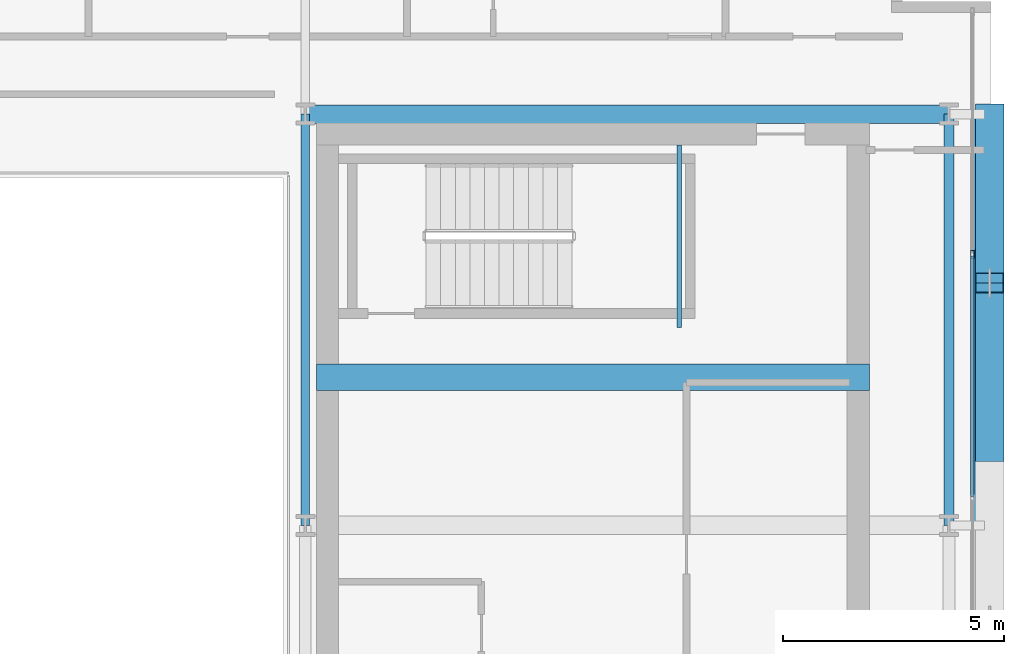
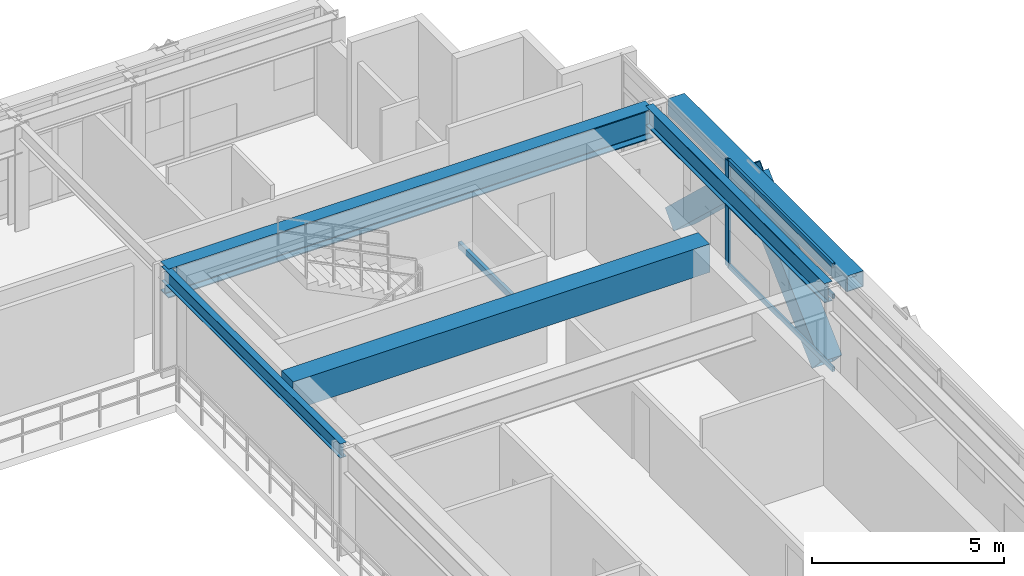
# One storey, part 14 of 30: 6 beams, 6 members, 1 element without a shape of its own.
"""IFC4 building model written with IfcOpenShell, lengths in metres."""

from ifc_helpers import new_model, si_unit, direction, frame, origin, origin_2d, place, context, subcontext, project, spatial, rectangle, hollow_rectangle, i_section, extrude, source, transform, mapped, material, layer, layer_set, material_profile, profile_set, type_object, element, aggregate, save


model = new_model("IFC4")

# Units and contexts
model_context = context("Model", 3, precision=1e-05, world=origin(), true_north=direction((0.0, 1.0)))
body_context = subcontext(model_context, "Body", "Model", "MODEL_VIEW")
ifc_project = project(units=[si_unit("LENGTHUNIT", "METRE"), si_unit("AREAUNIT", "SQUARE_METRE"), si_unit("VOLUMEUNIT", "CUBIC_METRE"), si_unit("PLANEANGLEUNIT", "RADIAN"), si_unit("MASSUNIT", "GRAM", prefix="KILO")], contexts=[model_context])

# Site, building, storey
site_placement = place(None, origin())
site = spatial("IfcSite", under=ifc_project, at=site_placement, CompositionType="ELEMENT")
building_placement = place(site_placement, origin())
building = spatial("IfcBuilding", under=site, at=building_placement, Name="Ocotamira Hotel", CompositionType="ELEMENT")
storey_placement = place(building_placement, frame((0.0, 0.0, 195.60009765625)))
storey = spatial("IfcBuildingStorey", under=building, at=storey_placement, Name="L49", CompositionType="ELEMENT", Elevation=195.60009765625)

# Beams
ifc_material_1 = material(Name="Concrete C50/60", Category="concrete")
ifc_material_profile_1 = material_profile(ifc_material_1, rectangle(XDim=0.60009765625, YDim=0.89990234375, at=origin_2d()), Name="RC600X900")
ifc_profile_set_1 = profile_set([ifc_material_profile_1], Name="Concrete C50/60")
beam_type_1 = type_object("IfcBeamType", Name="BM-LINK-RC600", PredefinedType="LINTEL", material=ifc_profile_set_1)
shared_shape_1 = source(origin(), body_context, "Body", "SweptSolid", [
    extrude(rectangle(XDim=0.60009765625, YDim=0.89990234375, at=origin_2d()), origin(), (0.0, 0.0, 1.0), 12.5),
])
beam_1_placement = place(storey_placement, frame((40.75, 31.5, 2.919921875), z_axis=(1.0, 0.0, 0.0), x_axis=(0.0, 1.0, 0.0)))
element("IfcBeam", 1, at=beam_1_placement, inside=storey, type_object=beam_type_1, Name="L49 East Core Coupling Beam", PredefinedType="LINTEL", context=body_context, shape_type="MappedRepresentation", body=[
    mapped(shared_shape_1, transform((0.0, 0.0, 0.0), scale=1.0)),
])
ifc_material_2 = material(Name="Steel ASTM A500 Grade C", Category="steel")
ifc_material_profile_2 = material_profile(ifc_material_2, hollow_rectangle(XDim=0.10009765625, YDim=0.199951171875, WallThickness=0.008056640625, at=origin_2d()), Name="HSS200X100X8")
ifc_profile_set_2 = profile_set([ifc_material_profile_2], Name="Steel ASTM A500 Grade C")
beam_type_2 = type_object("IfcBeamType", Name="BM-STLDG-HSS200", PredefinedType="BEAM", material=ifc_profile_set_2)
shared_shape_2 = source(origin(), body_context, "Body", "SweptSolid", [
    extrude(hollow_rectangle(XDim=0.10009765625, YDim=0.199951171875, WallThickness=0.008056640625, at=origin_2d()), origin(), (0.0, 0.0, 1.0), 4.1201171875),
])
beam_2_placement = place(storey_placement, frame((48.949951171875, 32.6298828125, 1.5), z_axis=(0.0, 1.0, 0.0), x_axis=(-1.0, 0.0, 0.0)))
element("IfcBeam", 2, at=beam_2_placement, inside=storey, type_object=beam_type_2, Name="L49 Stair ST-4 Landing Bearer 1", PredefinedType="BEAM", context=body_context, shape_type="MappedRepresentation", body=[
    mapped(shared_shape_2, transform((0.0, 0.0, 0.0), scale=1.0)),
])
ifc_material_3 = material(Name="Steel ASTM A992 Grade 50", Category="steel")
ifc_material_profile_3 = material_profile(ifc_material_3, i_section(OverallWidth=0.41796875, OverallDepth=0.927001953125, WebThickness=0.019287109375, FlangeThickness=0.031982421875, FilletRadius=0.02392578125, at=origin_2d()), Name="W36X231")
ifc_profile_set_3 = profile_set([ifc_material_profile_3], Name="Steel ASTM A992 Grade 50")
beam_type_3 = type_object("IfcBeamType", Name="BM-GIRD-W36X231", PredefinedType="BEAM", material=ifc_profile_set_3)
shared_shape_3 = source(origin(), body_context, "Body", "SweptSolid", [
    extrude(i_section(OverallWidth=0.41796875, OverallDepth=0.927001953125, WebThickness=0.019287109375, FlangeThickness=0.031982421875, FilletRadius=0.02392578125, at=origin_2d()), origin(), (0.0, 0.0, 1.0), 14.550048828125),
])
beam_3_placement = place(storey_placement, frame((40.5, 37.449951171875, 2.906494140625), z_axis=(1.0, 0.0, 0.0), x_axis=(0.0, 1.0, 0.0)))
element("IfcBeam", 3, at=beam_3_placement, inside=storey, type_object=beam_type_3, Name="L49 Girder Y37.45 X40.5-55.05", PredefinedType="BEAM", context=body_context, shape_type="MappedRepresentation", body=[
    mapped(shared_shape_3, transform((0.0, 0.0, 0.0), scale=1.0)),
])
ifc_material_profile_4 = material_profile(ifc_material_3, i_section(OverallWidth=0.22998046875, OverallDepth=0.616943359375, WebThickness=0.01318359375, FlangeThickness=0.022216796875, FilletRadius=0.012939453125, at=origin_2d()), Name="W24X94")
ifc_profile_set_4 = profile_set([ifc_material_profile_4], Name="Steel ASTM A992 Grade 50")
beam_type_4 = type_object("IfcBeamType", Name="BM-PRIM-W24X94", PredefinedType="BEAM", material=ifc_profile_set_4)
shared_shape_4 = source(origin(), body_context, "Body", "SweptSolid", [
    extrude(i_section(OverallWidth=0.22998046875, OverallDepth=0.616943359375, WebThickness=0.01318359375, FlangeThickness=0.022216796875, FilletRadius=0.012939453125, at=origin_2d()), origin(), (0.0, 0.0, 1.0), 9.300048828125),
])
beam_4_placement = place(storey_placement, frame((55.050048828125, 28.14990234375, 3.0615234375), z_axis=(0.0, 1.0, 0.0), x_axis=(-1.0, 0.0, 0.0)))
element("IfcBeam", 4, at=beam_4_placement, inside=storey, type_object=beam_type_4, Name="L49 Beam X55.05 Y28.15-37.45", PredefinedType="BEAM", context=body_context, shape_type="MappedRepresentation", body=[
    mapped(shared_shape_4, transform((0.0, 0.0, 0.0), scale=1.0)),
])
ifc_material_profile_5 = material_profile(ifc_material_3, i_section(OverallWidth=0.18994140625, OverallDepth=0.45703125, WebThickness=0.009033203125, FlangeThickness=0.014404296875, FilletRadius=0.010009765625, at=origin_2d()), Name="W18X50")
ifc_profile_set_5 = profile_set([ifc_material_profile_5], Name="Steel ASTM A992 Grade 50")
beam_type_5 = type_object("IfcBeamType", Name="BM-SEC-W18X50", PredefinedType="JOIST", material=ifc_profile_set_5)
shared_shape_5 = source(origin(), body_context, "Body", "SweptSolid", [
    extrude(i_section(OverallWidth=0.18994140625, OverallDepth=0.45703125, WebThickness=0.009033203125, FlangeThickness=0.014404296875, FilletRadius=0.010009765625, at=origin_2d()), origin(), (0.0, 0.0, 1.0), 9.300048828125),
])
beam_5_placement = place(storey_placement, frame((40.5, 28.14990234375, 3.141357421875), z_axis=(0.0, 1.0, 0.0), x_axis=(-1.0, 0.0, 0.0)))
element("IfcBeam", 5, at=beam_5_placement, inside=storey, type_object=beam_type_5, Name="L49 Beam X40.5 Y28.15-37.45", PredefinedType="JOIST", context=body_context, shape_type="MappedRepresentation", body=[
    mapped(shared_shape_5, transform((0.0, 0.0, 0.0), scale=1.0)),
])
ifc_material_profile_6 = material_profile(ifc_material_2, hollow_rectangle(XDim=0.5, YDim=0.5, WallThickness=0.02001953125, at=origin_2d()), Name="HSS500X500X20")
ifc_profile_set_6 = profile_set([ifc_material_profile_6], Name="Steel ASTM A500 Grade C")
beam_type_6 = type_object("IfcBeamType", Name="BM-SPAN-HSS500", PredefinedType="USERDEFINED", material=ifc_profile_set_6)
shared_shape_6 = source(origin(), body_context, "Body", "SweptSolid", [
    extrude(hollow_rectangle(XDim=0.5, YDim=0.5, WallThickness=0.02001953125, at=origin_2d()), origin(), (0.0, 0.0, 1.0), 9.300048828125),
])
beam_6_placement = place(storey_placement, frame((55.85009765625, 28.14990234375, 3.119873046875), z_axis=(0.0, 1.0, 0.0), x_axis=(-1.0, 0.0, 0.0)))
element("IfcBeam", 6, at=beam_6_placement, inside=storey, type_object=beam_type_6, Name="L49 Edge Spandrel E Y28.15-37.45", ObjectType="SPANDREL", PredefinedType="USERDEFINED", context=body_context, shape_type="MappedRepresentation", body=[
    mapped(shared_shape_6, transform((0.0, 0.0, 0.0), scale=1.0)),
])

# Members
ifc_material_4 = material(Name="Pale-metal coated steel ASTM A913 Grade 65", Category="steel")
ifc_material_profile_7 = material_profile(ifc_material_4, hollow_rectangle(XDim=0.64990234375, YDim=0.64990234375, WallThickness=0.02197265625, at=origin_2d()), Name="BOX650X650X22")
ifc_profile_set_7 = profile_set([ifc_material_profile_7], Name="Pale-metal coated steel ASTM A913 Grade 65")
member_type_1 = type_object("IfcMemberType", Name="MEM-EXO-BOX650", PredefinedType="BRACE", material=ifc_profile_set_7)
shared_shape_7 = source(origin(), body_context, "Body", "SweptSolid", [
    extrude(hollow_rectangle(XDim=0.64990234375, YDim=0.64990234375, WallThickness=0.02197265625, at=origin_2d()), origin(), (0.0, 0.0, 1.0), 5.24658203125),
])
for number, where, z_axis, x_axis, name in (
    (7, (55.969970703125, 29.816650390625, -0.47998046875), (0.0, 0.72746596067, 0.686143772154), (-1.0, 0.0, 0.0), "L49 Exoskeleton Diagrid E2.1"),
    (8, (55.969970703125, 37.449951171875, -0.47998046875), (0.0, -0.72746596067, 0.686143772154), (1.0, 0.0, 0.0), "L49 Exoskeleton Diagrid E2.2"),
):
    element("IfcMember", number, at=place(storey_placement, frame(where, z_axis=z_axis, x_axis=x_axis)), inside=storey, type_object=member_type_1, Name=name, PredefinedType="BRACE", context=body_context, shape_type="MappedRepresentation", body=[
        mapped(shared_shape_7, transform((0.0, 0.0, 0.0), scale=1.0)),
    ])

# Curtain wall, members
ifc_material_5 = material(Name="Anodised pale-metal aluminium and solar glass", Category="aluminium")
ifc_layer = layer(ifc_material_5, 0.199951171875)
ifc_layer_set = layer_set([ifc_layer], Name="Anodised pale-metal aluminium and solar glass")
curtain_wall_type = type_object("IfcCurtainWallType", Name="CW-SYS4-Z3", PredefinedType="NOTDEFINED", material=ifc_layer_set)
curtain_wall_placement = place(storey_placement, origin())
curtain_wall = element("IfcCurtainWall", 9, at=curtain_wall_placement, inside=storey, type_object=curtain_wall_type, Name="L49 Curtain Wall CW-4 CW-L49-E", PredefinedType="NOTDEFINED")
ifc_material_6 = material(Name="Anodised pale-metal aluminium 6063-T6", Category="aluminium")
ifc_material_profile_8 = material_profile(ifc_material_6, hollow_rectangle(XDim=0.074951171875, YDim=0.14990234375, WallThickness=0.006103515625, at=origin_2d()), Name="HSS150X75X6")
ifc_profile_set_8 = profile_set([ifc_material_profile_8], Name="Anodised pale-metal aluminium 6063-T6")
member_type_2 = type_object("IfcMemberType", Name="CWT-150X75", PredefinedType="USERDEFINED", material=ifc_profile_set_8)
shared_shape_8 = source(origin(), body_context, "Body", "SweptSolid", [
    extrude(hollow_rectangle(XDim=0.074951171875, YDim=0.14990234375, WallThickness=0.006103515625, at=origin_2d()), origin(), (0.0, 0.0, 1.0), 5.43994140625),
])
member_1_placement = place(storey_placement, frame((55.580078125, 28.800048828125, 0.037353515625), z_axis=(0.0, 1.0, 0.0), x_axis=(-1.0, 0.0, 0.0)))
member_1 = element("IfcMember", 10, at=member_1_placement, type_object=member_type_2, Name="CW-4 transom 4.1", ObjectType="TRANSOM", PredefinedType="USERDEFINED", context=body_context, shape_type="MappedRepresentation", body=[
    mapped(shared_shape_8, transform((0.0, 0.0, 0.0), scale=1.0)),
])
member_2_placement = place(storey_placement, frame((55.580078125, 28.800048828125, 2.349853515625), z_axis=(0.0, 1.0, 0.0), x_axis=(-1.0, 0.0, 0.0)))
member_2 = element("IfcMember", 11, at=member_2_placement, type_object=member_type_2, Name="CW-4 transom 4.2", ObjectType="TRANSOM", PredefinedType="USERDEFINED", context=body_context, shape_type="MappedRepresentation", body=[
    mapped(shared_shape_8, transform((0.0, 0.0, 0.0), scale=1.0)),
])
member_3_placement = place(storey_placement, frame((55.580078125, 28.800048828125, 3.33251953125), z_axis=(0.0, 1.0, 0.0), x_axis=(-1.0, 0.0, 0.0)))
member_3 = element("IfcMember", 12, at=member_3_placement, type_object=member_type_2, Name="CW-4 transom 4.3", ObjectType="TRANSOM", PredefinedType="USERDEFINED", context=body_context, shape_type="MappedRepresentation", body=[
    mapped(shared_shape_8, transform((0.0, 0.0, 0.0), scale=1.0)),
])
ifc_material_profile_9 = material_profile(ifc_material_6, hollow_rectangle(XDim=0.080078125, YDim=0.179931640625, WallThickness=0.006103515625, at=origin_2d()), Name="HSS180X80X6")
ifc_profile_set_9 = profile_set([ifc_material_profile_9], Name="Anodised pale-metal aluminium 6063-T6")
member_type_3 = type_object("IfcMemberType", Name="CWM-180X75", PredefinedType="MULLION", material=ifc_profile_set_9)
shared_shape_9 = source(origin(), body_context, "Body", "SweptSolid", [
    extrude(hollow_rectangle(XDim=0.080078125, YDim=0.179931640625, WallThickness=0.006103515625, at=origin_2d()), origin(), (0.0, 0.0, 1.0), 3.369873046875),
])
member_4_placement = place(storey_placement, frame((55.580078125, 34.280029296875, 0.0), z_axis=(0.0, 0.0, 1.0), x_axis=(-1.0, 0.0, 0.0)))
member_4 = element("IfcMember", 13, at=member_4_placement, type_object=member_type_3, Name="CW-4 mullion 5", PredefinedType="MULLION", context=body_context, shape_type="MappedRepresentation", body=[
    mapped(shared_shape_9, transform((0.0, 0.0, 0.0), scale=1.0)),
])
aggregate(curtain_wall, [member_4, member_1, member_2, member_3])

save(model, "model.ifc")
